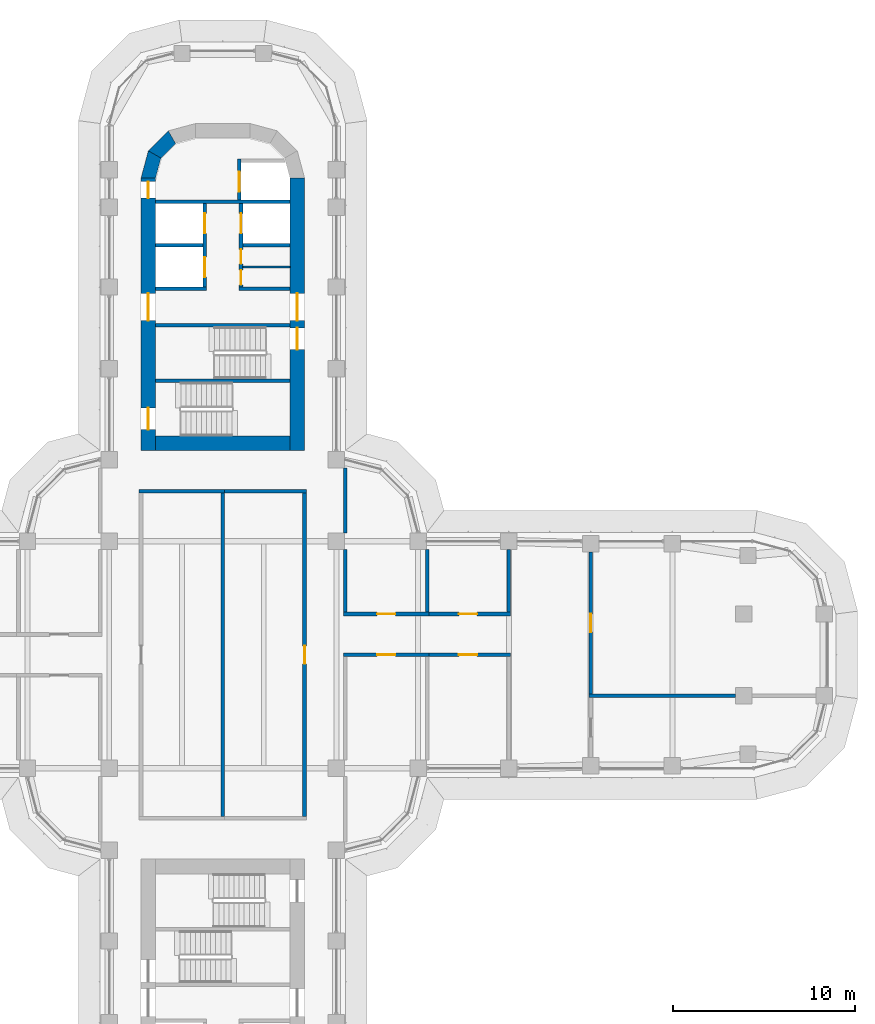
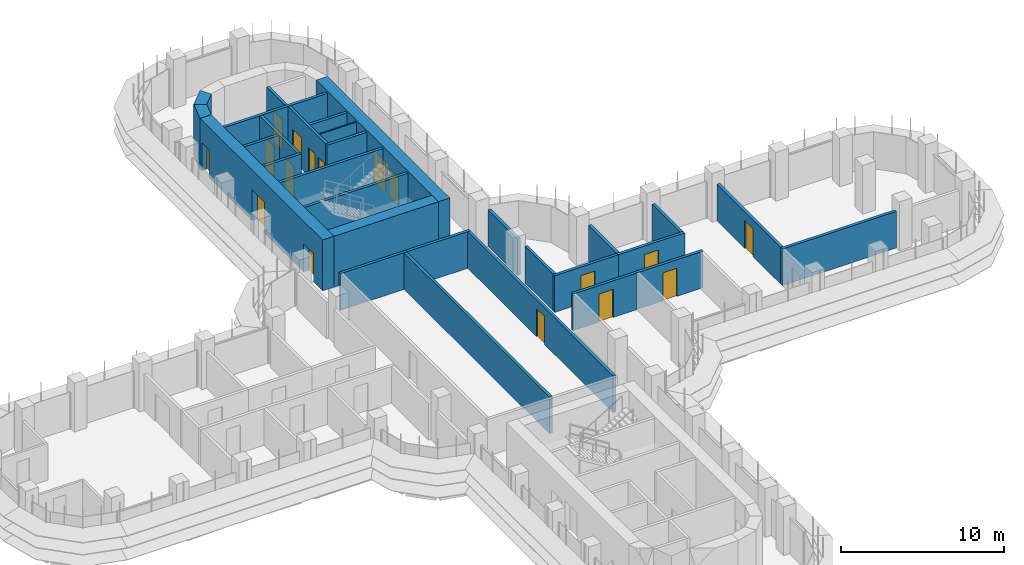
# One storey, part 18 of 23: 30 walls, 17 doors, 17 openings.
"""IFC4 building model written with IfcOpenShell, lengths in metres."""

from ifc_helpers import new_model, si_unit, direction, frame, frame_2d, origin, place, context, subcontext, project, spatial, polyline, rectangle, outline, extrude, material, layer, layer_set, type_object, element, fill, save


model = new_model("IFC4")

# Units and contexts
model_context = context("Model", 3, precision=1e-05, world=origin(), true_north=direction((0.0, 1.0)))
body_context = subcontext(model_context, "Body", "Model", "MODEL_VIEW")
ifc_project = project(units=[si_unit("LENGTHUNIT", "METRE"), si_unit("AREAUNIT", "SQUARE_METRE"), si_unit("VOLUMEUNIT", "CUBIC_METRE"), si_unit("PLANEANGLEUNIT", "RADIAN"), si_unit("MASSUNIT", "GRAM", prefix="KILO")], contexts=[model_context])

# Site, building, storey
site_placement = place(None, origin())
site = spatial("IfcSite", under=ifc_project, at=site_placement, CompositionType="ELEMENT")
building_placement = place(site_placement, origin())
building = spatial("IfcBuilding", under=site, at=building_placement, Name="Zarbagh Exchange Tower", CompositionType="ELEMENT")
storey_placement = place(building_placement, frame((0.0, 0.0, 90.39990234375)))
storey = spatial("IfcBuildingStorey", under=building, at=storey_placement, Name="L20", CompositionType="ELEMENT", Elevation=90.39990234375)

# Wall
ifc_material_1 = material(Name="Dense blockwork", Category="masonry")
ifc_layer_1 = layer(ifc_material_1, 0.10009765625)
ifc_layer_set_1 = layer_set([ifc_layer_1], Name="Core partition 100 mm blockwork")
wall_type_1 = type_object("IfcWallType", Name="Core partition 100 mm blockwork", PredefinedType="PARTITIONING", material=ifc_layer_set_1)
wall_1_placement = place(storey_placement, frame((1.10009765625, 21.35009765625, 0.0), z_axis=(0.0, 0.0, 1.0), x_axis=(1.0, 0.0, 0.0)))
element("IfcWall", 1, at=wall_1_placement, inside=storey, type_object=wall_type_1, Name="North core partition wall CUT-E-700", PredefinedType="PARTITIONING", context=body_context, shape_type="SweptSolid", body=[
    extrude(rectangle(XDim=2.599853515625, YDim=0.10009765625, at=frame_2d((1.2998046875, 0.0))), origin(), (0.0, 0.0, 1.0), 3.650146484375),
])

# Wall, opening, door
ifc_material_2 = material(Name="Fire-rated plasterboard partition")
ifc_layer_2 = layer(ifc_material_2, 0.199951171875)
ifc_layer_set_2 = layer_set([ifc_layer_2], Name="RATED PARTITION 200")
wall_type_2 = type_object("IfcWallType", Name="RATED PARTITION 200", PredefinedType="PARTITIONING", material=ifc_layer_set_2)
wall_2_placement = place(storey_placement, frame((4.5, -8.89990234375, 0.0), z_axis=(0.0, 0.0, 1.0), x_axis=(0.0, 1.0, 0.0)))
wall_2 = element("IfcWall", 2, at=wall_2_placement, inside=storey, type_object=wall_type_2, Name="Partition W-606", PredefinedType="PARTITIONING", context=body_context, shape_type="SweptSolid", body=[
    extrude(rectangle(XDim=17.7998046875, YDim=0.199951171875, at=frame_2d((8.89990234375, 0.0))), origin(), (0.0, 0.0, 1.0), 2.73828125),
])
opening_1_placement = place(wall_2_placement, frame((8.39990234375, 0.0, 0.0)))
opening_1 = element("IfcOpeningElement", 3, at=opening_1_placement, cuts=wall_2, Name="Opening D-601", PredefinedType="OPENING", context=body_context, shape_type="SweptSolid", body=[
    extrude(rectangle(XDim=1.0, YDim=2.10009765625, at=frame_2d((0.5, 1.050048828125))), frame((0.0, 0.10986328125, 0.0), z_axis=(0.0, -1.0, 0.0), x_axis=(1.0, 0.0, 0.0)), (0.0, 0.0, 1.0), 0.219970703125),
])
ifc_material_3 = material(Name="Steel door set", Category="steel")
door_type_1 = type_object("IfcDoorType", Name="FIRE DOOR 1000 X 2100 FD30S", OperationType="NOTDEFINED", PredefinedType="DOOR", material=ifc_material_3)
door_1_placement = place(opening_1_placement, origin())
door_1 = element("IfcDoor", 4, at=door_1_placement, inside=storey, type_object=door_type_1, Name="Door D-601", OperationType="SINGLE_SWING_RIGHT", OverallHeight=2.10009765625, OverallWidth=1.0, PredefinedType="DOOR", context=body_context, shape_type="SweptSolid", body=[
    extrude(rectangle(XDim=1.0, YDim=2.10009765625, at=frame_2d((0.5, 1.050048828125))), frame((0.0, 0.02490234375, 0.0), z_axis=(0.0, -1.0, 0.0), x_axis=(1.0, 0.0, 0.0)), (0.0, 0.0, 1.0), 0.050048828125),
])
fill(opening_1, door_1)

# Walls
wall_3_placement = place(storey_placement, frame((6.75, 2.35009765625, 0.0), z_axis=(0.0, 0.0, 1.0), x_axis=(0.0, 1.0, 0.0)))
element("IfcWall", 5, at=wall_3_placement, inside=storey, type_object=wall_type_2, Name="Partition W-607", PredefinedType="PARTITIONING", context=body_context, shape_type="SweptSolid", body=[
    extrude(rectangle(XDim=3.449951171875, YDim=0.199951171875, at=frame_2d((1.72509765625, 0.0))), origin(), (0.0, 0.0, 1.0), 2.73828125),
])
wall_4_placement = place(storey_placement, frame((6.75, 6.699951171875, 0.0), z_axis=(0.0, 0.0, 1.0), x_axis=(0.0, 1.0, 0.0)))
element("IfcWall", 6, at=wall_4_placement, inside=storey, type_object=wall_type_2, Name="Partition W-608", PredefinedType="PARTITIONING", context=body_context, shape_type="SweptSolid", body=[
    extrude(rectangle(XDim=3.60009765625, YDim=0.199951171875, at=frame_2d((1.800048828125, 0.0))), origin(), (0.0, 0.0, 1.0), 2.73828125),
])
for number, where, z_axis, x_axis, name in (
    (7, (-4.60009765625, 9.0, 0.0), (0.0, 0.0, 1.0), (1.0, 0.0, 0.0), "Partition W-611"),
    (8, (-0.10009765625, 9.0, 0.0), (0.0, 0.0, 1.0), (1.0, 0.0, 0.0), "Partition W-612"),
):
    element("IfcWall", number, at=place(storey_placement, frame(where, z_axis=z_axis, x_axis=x_axis)), inside=storey, type_object=wall_type_2, Name=name, PredefinedType="PARTITIONING", context=body_context, shape_type="SweptSolid", body=[
        extrude(rectangle(XDim=4.7001953125, YDim=0.199951171875, at=frame_2d((2.35009765625, 0.0))), origin(), (0.0, 0.0, 1.0), 2.73828125),
    ])
wall_5_placement = place(storey_placement, frame((0.0, -8.89990234375, 0.0), z_axis=(0.0, 0.0, 1.0), x_axis=(0.0, 1.0, 0.0)))
element("IfcWall", 9, at=wall_5_placement, inside=storey, type_object=wall_type_2, Name="Partition W-615", PredefinedType="PARTITIONING", context=body_context, shape_type="SweptSolid", body=[
    extrude(rectangle(XDim=17.7998046875, YDim=0.199951171875, at=frame_2d((8.89990234375, 0.0))), origin(), (0.0, 0.0, 1.0), 2.73828125),
])

# Wall, opening, door
wall_6_placement = place(storey_placement, frame((6.64990234375, 2.25, 0.0), z_axis=(0.0, 0.0, 1.0), x_axis=(1.0, 0.0, 0.0)))
wall_6 = element("IfcWall", 10, at=wall_6_placement, inside=storey, type_object=wall_type_2, Name="Partition W-616", PredefinedType="PARTITIONING", context=body_context, shape_type="SweptSolid", body=[
    extrude(rectangle(XDim=4.7001953125, YDim=0.199951171875, at=frame_2d((2.35009765625, 0.0))), origin(), (0.0, 0.0, 1.0), 2.73828125),
])
opening_2_placement = place(wall_6_placement, frame((1.85009765625, 0.0, 0.0)))
opening_2 = element("IfcOpeningElement", 11, at=opening_2_placement, cuts=wall_6, Name="Opening D-603", PredefinedType="OPENING", context=body_context, shape_type="SweptSolid", body=[
    extrude(rectangle(XDim=1.0, YDim=2.10009765625, at=frame_2d((0.5, 1.050048828125))), frame((0.0, 0.10986328125, 0.0), z_axis=(0.0, -1.0, 0.0), x_axis=(1.0, 0.0, 0.0)), (0.0, 0.0, 1.0), 0.219970703125),
])
door_2_placement = place(opening_2_placement, origin())
door_2 = element("IfcDoor", 12, at=door_2_placement, inside=storey, type_object=door_type_1, Name="Door D-603", OperationType="SINGLE_SWING_RIGHT", OverallHeight=2.10009765625, OverallWidth=1.0, PredefinedType="DOOR", context=body_context, shape_type="SweptSolid", body=[
    extrude(rectangle(XDim=1.0, YDim=2.10009765625, at=frame_2d((0.5, 1.050048828125))), frame((0.0, 0.02490234375, 0.0), z_axis=(0.0, -1.0, 0.0), x_axis=(1.0, 0.0, 0.0)), (0.0, 0.0, 1.0), 0.050048828125),
])
fill(opening_2, door_2)

wall_7_placement = place(storey_placement, frame((11.35009765625, 0.0, 0.0), z_axis=(0.0, 0.0, 1.0), x_axis=(-1.0, 0.0, 0.0)))
wall_7 = element("IfcWall", 13, at=wall_7_placement, inside=storey, type_object=wall_type_2, Name="Partition W-617", PredefinedType="PARTITIONING", context=body_context, shape_type="SweptSolid", body=[
    extrude(rectangle(XDim=4.7001953125, YDim=0.199951171875, at=frame_2d((2.35009765625, 0.0))), origin(), (0.0, 0.0, 1.0), 2.73828125),
])
opening_3_placement = place(wall_7_placement, frame((1.85009765625, 0.0, 0.0)))
opening_3 = element("IfcOpeningElement", 14, at=opening_3_placement, cuts=wall_7, Name="Opening D-605", PredefinedType="OPENING", context=body_context, shape_type="SweptSolid", body=[
    extrude(rectangle(XDim=1.0, YDim=2.10009765625, at=frame_2d((0.5, 1.050048828125))), frame((0.0, 0.10986328125, 0.0), z_axis=(0.0, -1.0, 0.0), x_axis=(1.0, 0.0, 0.0)), (0.0, 0.0, 1.0), 0.219970703125),
])
door_3_placement = place(opening_3_placement, origin())
door_3 = element("IfcDoor", 15, at=door_3_placement, inside=storey, type_object=door_type_1, Name="Door D-605", OperationType="SINGLE_SWING_RIGHT", OverallHeight=2.10009765625, OverallWidth=1.0, PredefinedType="DOOR", context=body_context, shape_type="SweptSolid", body=[
    extrude(rectangle(XDim=1.0, YDim=2.10009765625, at=frame_2d((0.5, 1.050048828125))), frame((0.0, 0.02490234375, 0.0), z_axis=(0.0, -1.0, 0.0), x_axis=(1.0, 0.0, 0.0)), (0.0, 0.0, 1.0), 0.050048828125),
])
fill(opening_3, door_3)

wall_8_placement = place(storey_placement, frame((11.14990234375, 2.25, 0.0), z_axis=(0.0, 0.0, 1.0), x_axis=(1.0, 0.0, 0.0)))
wall_8 = element("IfcWall", 16, at=wall_8_placement, inside=storey, type_object=wall_type_2, Name="Partition W-618", PredefinedType="PARTITIONING", context=body_context, shape_type="SweptSolid", body=[
    extrude(rectangle(XDim=4.7001953125, YDim=0.199951171875, at=frame_2d((2.35009765625, 0.0))), origin(), (0.0, 0.0, 1.0), 2.73828125),
])
opening_4_placement = place(wall_8_placement, frame((1.85009765625, 0.0, 0.0)))
opening_4 = element("IfcOpeningElement", 17, at=opening_4_placement, cuts=wall_8, Name="Opening D-604", PredefinedType="OPENING", context=body_context, shape_type="SweptSolid", body=[
    extrude(rectangle(XDim=1.0, YDim=2.10009765625, at=frame_2d((0.5, 1.050048828125))), frame((0.0, 0.10986328125, 0.0), z_axis=(0.0, -1.0, 0.0), x_axis=(1.0, 0.0, 0.0)), (0.0, 0.0, 1.0), 0.219970703125),
])
door_4_placement = place(opening_4_placement, origin())
door_4 = element("IfcDoor", 18, at=door_4_placement, inside=storey, type_object=door_type_1, Name="Door D-604", OperationType="SINGLE_SWING_RIGHT", OverallHeight=2.10009765625, OverallWidth=1.0, PredefinedType="DOOR", context=body_context, shape_type="SweptSolid", body=[
    extrude(rectangle(XDim=1.0, YDim=2.10009765625, at=frame_2d((0.5, 1.050048828125))), frame((0.0, 0.02490234375, 0.0), z_axis=(0.0, -1.0, 0.0), x_axis=(1.0, 0.0, 0.0)), (0.0, 0.0, 1.0), 0.050048828125),
])
fill(opening_4, door_4)

wall_9_placement = place(storey_placement, frame((15.85009765625, 0.0, 0.0), z_axis=(0.0, 0.0, 1.0), x_axis=(-1.0, 0.0, 0.0)))
wall_9 = element("IfcWall", 19, at=wall_9_placement, inside=storey, type_object=wall_type_2, Name="Partition W-619", PredefinedType="PARTITIONING", context=body_context, shape_type="SweptSolid", body=[
    extrude(rectangle(XDim=4.7001953125, YDim=0.199951171875, at=frame_2d((2.35009765625, 0.0))), origin(), (0.0, 0.0, 1.0), 2.73828125),
])
opening_5_placement = place(wall_9_placement, frame((1.85009765625, 0.0, 0.0)))
opening_5 = element("IfcOpeningElement", 20, at=opening_5_placement, cuts=wall_9, Name="Opening D-606", PredefinedType="OPENING", context=body_context, shape_type="SweptSolid", body=[
    extrude(rectangle(XDim=1.0, YDim=2.10009765625, at=frame_2d((0.5, 1.050048828125))), frame((0.0, 0.10986328125, 0.0), z_axis=(0.0, -1.0, 0.0), x_axis=(1.0, 0.0, 0.0)), (0.0, 0.0, 1.0), 0.219970703125),
])
door_5_placement = place(opening_5_placement, origin())
door_5 = element("IfcDoor", 21, at=door_5_placement, inside=storey, type_object=door_type_1, Name="Door D-606", OperationType="SINGLE_SWING_RIGHT", OverallHeight=2.10009765625, OverallWidth=1.0, PredefinedType="DOOR", context=body_context, shape_type="SweptSolid", body=[
    extrude(rectangle(XDim=1.0, YDim=2.10009765625, at=frame_2d((0.5, 1.050048828125))), frame((0.0, 0.02490234375, 0.0), z_axis=(0.0, -1.0, 0.0), x_axis=(1.0, 0.0, 0.0)), (0.0, 0.0, 1.0), 0.050048828125),
])
fill(opening_5, door_5)

# Walls
for number, where, z_axis, x_axis, name in (
    (22, (11.25, 2.35009765625, 0.0), (0.0, 0.0, 1.0), (0.0, 1.0, 0.0), "Partition W-620"),
    (23, (15.75, 2.35009765625, 0.0), (0.0, 0.0, 1.0), (0.0, 1.0, 0.0), "Partition W-622"),
):
    element("IfcWall", number, at=place(storey_placement, frame(where, z_axis=z_axis, x_axis=x_axis)), inside=storey, type_object=wall_type_2, Name=name, PredefinedType="PARTITIONING", context=body_context, shape_type="SweptSolid", body=[
        extrude(rectangle(XDim=3.449951171875, YDim=0.199951171875, at=frame_2d((1.72509765625, 0.0))), origin(), (0.0, 0.0, 1.0), 2.73828125),
    ])

# Wall, opening, door
wall_10_placement = place(storey_placement, frame((20.25, 5.659912109375, 0.0), z_axis=(0.0, 0.0, 1.0), x_axis=(0.0, -1.0, 0.0)))
wall_10 = element("IfcWall", 24, at=wall_10_placement, inside=storey, type_object=wall_type_2, Name="Partition W-625", PredefinedType="PARTITIONING", context=body_context, shape_type="SweptSolid", body=[
    extrude(rectangle(XDim=7.809814453125, YDim=0.199951171875, at=frame_2d((3.90478515625, 0.0))), origin(), (0.0, 0.0, 1.0), 2.73828125),
])
opening_6_placement = place(wall_10_placement, frame((3.405029296875, 0.0, 0.0)))
opening_6 = element("IfcOpeningElement", 25, at=opening_6_placement, cuts=wall_10, Name="Opening D-608", PredefinedType="OPENING", context=body_context, shape_type="SweptSolid", body=[
    extrude(rectangle(XDim=1.0, YDim=2.10009765625, at=frame_2d((0.5, 1.050048828125))), frame((0.0, 0.10986328125, 0.0), z_axis=(0.0, -1.0, 0.0), x_axis=(1.0, 0.0, 0.0)), (0.0, 0.0, 1.0), 0.219970703125),
])
door_6_placement = place(opening_6_placement, origin())
door_6 = element("IfcDoor", 26, at=door_6_placement, inside=storey, type_object=door_type_1, Name="Door D-608", OperationType="SINGLE_SWING_RIGHT", OverallHeight=2.10009765625, OverallWidth=1.0, PredefinedType="DOOR", context=body_context, shape_type="SweptSolid", body=[
    extrude(rectangle(XDim=1.0, YDim=2.10009765625, at=frame_2d((0.5, 1.050048828125))), frame((0.0, 0.02490234375, 0.0), z_axis=(0.0, -1.0, 0.0), x_axis=(1.0, 0.0, 0.0)), (0.0, 0.0, 1.0), 0.050048828125),
])
fill(opening_6, door_6)

# Walls
wall_11_placement = place(storey_placement, frame((20.14990234375, -2.25, 0.0), z_axis=(0.0, 0.0, 1.0), x_axis=(1.0, 0.0, 0.0)))
element("IfcWall", 27, at=wall_11_placement, inside=storey, type_object=wall_type_2, Name="Partition W-626", PredefinedType="PARTITIONING", context=body_context, shape_type="SweptSolid", body=[
    extrude(rectangle(XDim=8.070068359375, YDim=0.199951171875, at=frame_2d((4.03515625, 0.0))), origin(), (0.0, 0.0, 1.0), 2.73828125),
])
ifc_material_4 = material(Name="Concrete C60/75", Category="concrete")
ifc_layer_3 = layer(ifc_material_4, 0.800048828125)
ifc_layer_set_3 = layer_set([ifc_layer_3], Name="RC core corner wall 800 C60/75")
wall_type_3 = type_object("IfcWallType", Name="RC core corner wall 800 C60/75", PredefinedType="SHEAR", material=ifc_layer_set_3)
wall_12_placement = place(storey_placement, origin())
element("IfcWall", 28, at=wall_12_placement, inside=storey, type_object=wall_type_3, Name="CW4 core N corner W", PredefinedType="SHEAR", context=body_context, shape_type="SweptSolid", body=[
    extrude(outline(polyline([(-4.5, 26.25), (-4.09814453125, 27.75), (-3.4052734375, 27.35009765625), (-3.699951171875, 26.25), (-4.5, 26.25)])), origin(), (0.0, 0.0, 1.0), 3.800048828125),
])
wall_13_placement = place(storey_placement, origin())
element("IfcWall", 29, at=wall_13_placement, inside=storey, type_object=wall_type_3, Name="CW4 core N corner W", PredefinedType="SHEAR", context=body_context, shape_type="SweptSolid", body=[
    extrude(outline(polyline([(-4.09814453125, 27.75), (-3.0, 28.84814453125), (-2.60009765625, 28.1552734375), (-3.4052734375, 27.35009765625), (-4.09814453125, 27.75)])), origin(), (0.0, 0.0, 1.0), 3.800048828125),
])

# Wall, openings, doors
ifc_layer_4 = layer(ifc_material_4, 0.800048828125)
ifc_layer_set_4 = layer_set([ifc_layer_4], Name="RC core wall 800 C60/75")
wall_type_4 = type_object("IfcWallType", Name="RC core wall 800 C60/75", PredefinedType="SHEAR", material=ifc_layer_set_4)
wall_14_placement = place(storey_placement, frame((-4.10009765625, 11.25, 0.0), z_axis=(0.0, 0.0, 1.0), x_axis=(0.0, 1.0, 0.0)))
wall_14 = element("IfcWall", 30, at=wall_14_placement, inside=storey, type_object=wall_type_4, Name="CW3 core N W", PredefinedType="SHEAR", context=body_context, shape_type="SweptSolid", body=[
    extrude(rectangle(XDim=15.0, YDim=0.800048828125, at=frame_2d((7.5, 0.0))), origin(), (0.0, 0.0, 1.0), 3.800048828125),
])
opening_7_placement = place(wall_14_placement, frame((7.14990234375, 0.0, 0.0)))
opening_7 = element("IfcOpeningElement", 31, at=opening_7_placement, cuts=wall_14, Name="Opening CD1-1500", PredefinedType="OPENING", context=body_context, shape_type="SweptSolid", body=[
    extrude(rectangle(XDim=1.5, YDim=2.300048828125, at=frame_2d((0.75, 1.14990234375))), frame((0.0, 0.409912109375, 0.0), z_axis=(0.0, -1.0, 0.0), x_axis=(1.0, 0.0, 0.0)), (0.0, 0.0, 1.0), 0.820068359375),
])
opening_8_placement = place(wall_14_placement, frame((13.89990234375, 0.0, 0.0)))
opening_8 = element("IfcOpeningElement", 32, at=opening_8_placement, cuts=wall_14, Name="Opening CD2-900", PredefinedType="OPENING", context=body_context, shape_type="SweptSolid", body=[
    extrude(rectangle(XDim=0.89990234375, YDim=2.10009765625, at=frame_2d((0.449951171875, 1.050048828125))), frame((0.0, 0.409912109375, 0.0), z_axis=(0.0, -1.0, 0.0), x_axis=(1.0, 0.0, 0.0)), (0.0, 0.0, 1.0), 0.820068359375),
])
opening_9_placement = place(wall_14_placement, frame((1.14990234375, 0.0, 0.0)))
opening_9 = element("IfcOpeningElement", 33, at=opening_9_placement, cuts=wall_14, Name="Opening SD1-1200", PredefinedType="OPENING", context=body_context, shape_type="SweptSolid", body=[
    extrude(rectangle(XDim=1.199951171875, YDim=2.10009765625, at=frame_2d((0.60009765625, 1.050048828125))), frame((0.0, 0.409912109375, 0.0), z_axis=(0.0, -1.0, 0.0), x_axis=(1.0, 0.0, 0.0)), (0.0, 0.0, 1.0), 0.820068359375),
])
ifc_material_5 = material(Name="Steel", Category="steel")
door_type_2 = type_object("IfcDoorType", Name="Exit stair door 1200 x 2100", OperationType="NOTDEFINED", PredefinedType="DOOR", material=ifc_material_5)
door_7_placement = place(opening_9_placement, origin())
door_7 = element("IfcDoor", 34, at=door_7_placement, inside=storey, type_object=door_type_2, Name="North core stair door ST2", OperationType="SINGLE_SWING_RIGHT", OverallHeight=2.10009765625, OverallWidth=1.199951171875, PredefinedType="DOOR", context=body_context, shape_type="SweptSolid", body=[
    extrude(rectangle(XDim=1.199951171875, YDim=2.10009765625, at=frame_2d((0.60009765625, 1.050048828125))), frame((0.0, 0.02490234375, 0.0), z_axis=(0.0, -1.0, 0.0), x_axis=(1.0, 0.0, 0.0)), (0.0, 0.0, 1.0), 0.050048828125),
])
fill(opening_9, door_7)
door_type_3 = type_object("IfcDoorType", Name="Firefighting lobby door 900 x 2100", OperationType="NOTDEFINED", PredefinedType="DOOR", material=ifc_material_5)
door_8_placement = place(opening_8_placement, origin())
door_8 = element("IfcDoor", 35, at=door_8_placement, inside=storey, type_object=door_type_3, Name="North core firefighting lobby door FF-W", OperationType="SINGLE_SWING_LEFT", OverallHeight=2.10009765625, OverallWidth=0.89990234375, PredefinedType="DOOR", context=body_context, shape_type="SweptSolid", body=[
    extrude(rectangle(XDim=0.89990234375, YDim=2.10009765625, at=frame_2d((0.449951171875, 1.050048828125))), frame((0.0, 0.02490234375, 0.0), z_axis=(0.0, -1.0, 0.0), x_axis=(1.0, 0.0, 0.0)), (0.0, 0.0, 1.0), 0.050048828125),
])
fill(opening_8, door_8)
door_type_4 = type_object("IfcDoorType", Name="Lift lobby double door 1500 x 2300", OperationType="NOTDEFINED", PredefinedType="DOOR", material=ifc_material_5)
door_9_placement = place(opening_7_placement, origin())
door_9 = element("IfcDoor", 36, at=door_9_placement, inside=storey, type_object=door_type_4, Name="North core lift lobby door LOBBY-W", OperationType="DOUBLE_DOOR_SINGLE_SWING", OverallHeight=2.300048828125, OverallWidth=1.5, PredefinedType="DOOR", context=body_context, shape_type="SweptSolid", body=[
    extrude(rectangle(XDim=1.5, YDim=2.300048828125, at=frame_2d((0.75, 1.14990234375))), frame((0.0, 0.02490234375, 0.0), z_axis=(0.0, -1.0, 0.0), x_axis=(1.0, 0.0, 0.0)), (0.0, 0.0, 1.0), 0.050048828125),
])
fill(opening_7, door_9)

wall_15_placement = place(storey_placement, frame((4.10009765625, 11.25, 0.0), z_axis=(0.0, 0.0, 1.0), x_axis=(0.0, 1.0, 0.0)))
wall_15 = element("IfcWall", 37, at=wall_15_placement, inside=storey, type_object=wall_type_4, Name="CW3 core N E", PredefinedType="SHEAR", context=body_context, shape_type="SweptSolid", body=[
    extrude(rectangle(XDim=15.0, YDim=0.800048828125, at=frame_2d((7.5, 0.0))), origin(), (0.0, 0.0, 1.0), 3.800048828125),
])
opening_10_placement = place(wall_15_placement, frame((7.14990234375, 0.0, 0.0)))
opening_10 = element("IfcOpeningElement", 38, at=opening_10_placement, cuts=wall_15, Name="Opening CD1-1500", PredefinedType="OPENING", context=body_context, shape_type="SweptSolid", body=[
    extrude(rectangle(XDim=1.5, YDim=2.300048828125, at=frame_2d((0.75, 1.14990234375))), frame((0.0, 0.409912109375, 0.0), z_axis=(0.0, -1.0, 0.0), x_axis=(1.0, 0.0, 0.0)), (0.0, 0.0, 1.0), 0.820068359375),
])
opening_11_placement = place(wall_15_placement, frame((5.550048828125, 0.0, 0.0)))
opening_11 = element("IfcOpeningElement", 39, at=opening_11_placement, cuts=wall_15, Name="Opening SD1-1200", PredefinedType="OPENING", context=body_context, shape_type="SweptSolid", body=[
    extrude(rectangle(XDim=1.199951171875, YDim=2.10009765625, at=frame_2d((0.60009765625, 1.050048828125))), frame((0.0, 0.409912109375, 0.0), z_axis=(0.0, -1.0, 0.0), x_axis=(1.0, 0.0, 0.0)), (0.0, 0.0, 1.0), 0.820068359375),
])
door_10_placement = place(opening_11_placement, origin())
door_10 = element("IfcDoor", 40, at=door_10_placement, inside=storey, type_object=door_type_2, Name="North core stair door ST1", OperationType="SINGLE_SWING_LEFT", OverallHeight=2.10009765625, OverallWidth=1.199951171875, PredefinedType="DOOR", context=body_context, shape_type="SweptSolid", body=[
    extrude(rectangle(XDim=1.199951171875, YDim=2.10009765625, at=frame_2d((0.60009765625, 1.050048828125))), frame((0.0, 0.02490234375, 0.0), z_axis=(0.0, -1.0, 0.0), x_axis=(1.0, 0.0, 0.0)), (0.0, 0.0, 1.0), 0.050048828125),
])
fill(opening_11, door_10)
door_11_placement = place(opening_10_placement, origin())
door_11 = element("IfcDoor", 41, at=door_11_placement, inside=storey, type_object=door_type_4, Name="North core lift lobby door LOBBY-E", OperationType="DOUBLE_DOOR_SINGLE_SWING", OverallHeight=2.300048828125, OverallWidth=1.5, PredefinedType="DOOR", context=body_context, shape_type="SweptSolid", body=[
    extrude(rectangle(XDim=1.5, YDim=2.300048828125, at=frame_2d((0.75, 1.14990234375))), frame((0.0, 0.02490234375, 0.0), z_axis=(0.0, -1.0, 0.0), x_axis=(1.0, 0.0, 0.0)), (0.0, 0.0, 1.0), 0.050048828125),
])
fill(opening_10, door_11)

# Walls
wall_16_placement = place(storey_placement, frame((-3.699951171875, 11.64990234375, 0.0), z_axis=(0.0, 0.0, 1.0), x_axis=(1.0, 0.0, 0.0)))
element("IfcWall", 42, at=wall_16_placement, inside=storey, type_object=wall_type_4, Name="CW3 core N inner end", PredefinedType="SHEAR", context=body_context, shape_type="SweptSolid", body=[
    extrude(rectangle(XDim=7.39990234375, YDim=0.800048828125, at=frame_2d((3.699951171875, 0.0))), origin(), (0.0, 0.0, 1.0), 3.800048828125),
])
ifc_layer_5 = layer(ifc_material_1, 0.199951171875)
ifc_layer_set_5 = layer_set([ifc_layer_5], Name="Shaft wall 200 mm blockwork")
wall_type_5 = type_object("IfcWallType", Name="Shaft wall 200 mm blockwork", PredefinedType="PARTITIONING", material=ifc_layer_set_5)
wall_17_placement = place(storey_placement, frame((-3.699951171875, 20.14990234375, 0.0), z_axis=(0.0, 0.0, 1.0), x_axis=(1.0, 0.0, 0.0)))
element("IfcWall", 43, at=wall_17_placement, inside=storey, type_object=wall_type_5, Name="North core shaft wall AB-W", PredefinedType="PARTITIONING", context=body_context, shape_type="SweptSolid", body=[
    extrude(rectangle(XDim=2.800048828125, YDim=0.199951171875, at=frame_2d((1.39990234375, 0.0))), origin(), (0.0, 0.0, 1.0), 3.650146484375),
])

# Wall, openings, doors
wall_18_placement = place(storey_placement, frame((-1.0, 24.85009765625, 0.0), z_axis=(0.0, 0.0, 1.0), x_axis=(0.0, -1.0, 0.0)))
wall_18 = element("IfcWall", 44, at=wall_18_placement, inside=storey, type_object=wall_type_5, Name="North core shaft wall LW-W", PredefinedType="PARTITIONING", context=body_context, shape_type="SweptSolid", body=[
    extrude(rectangle(XDim=4.60009765625, YDim=0.199951171875, at=frame_2d((2.300048828125, 0.0))), origin(), (0.0, 0.0, 1.0), 3.650146484375),
])
opening_12_placement = place(wall_18_placement, frame((0.550048828125, 0.0, 0.0)))
opening_12 = element("IfcOpeningElement", 45, at=opening_12_placement, cuts=wall_18, Name="Opening LD-1100", PredefinedType="OPENING", context=body_context, shape_type="SweptSolid", body=[
    extrude(rectangle(XDim=1.10009765625, YDim=2.300048828125, at=frame_2d((0.550048828125, 1.14990234375))), frame((0.0, 0.10986328125, 0.0), z_axis=(0.0, -1.0, 0.0), x_axis=(1.0, 0.0, 0.0)), (0.0, 0.0, 1.0), 0.219970703125),
])
opening_13_placement = place(wall_18_placement, frame((2.949951171875, 0.0, 0.0)))
opening_13 = element("IfcOpeningElement", 46, at=opening_13_placement, cuts=wall_18, Name="Opening LD-1100", PredefinedType="OPENING", context=body_context, shape_type="SweptSolid", body=[
    extrude(rectangle(XDim=1.10009765625, YDim=2.300048828125, at=frame_2d((0.550048828125, 1.14990234375))), frame((0.0, 0.10986328125, 0.0), z_axis=(0.0, -1.0, 0.0), x_axis=(1.0, 0.0, 0.0)), (0.0, 0.0, 1.0), 0.219970703125),
])
ifc_material_6 = material(Name="Stainless steel", Category="steel")
door_type_5 = type_object("IfcDoorType", Name="Lift landing door 1100 x 2300", OperationType="NOTDEFINED", PredefinedType="DOOR", material=ifc_material_6)
door_12_placement = place(opening_12_placement, origin())
door_12 = element("IfcDoor", 47, at=door_12_placement, inside=storey, type_object=door_type_5, Name="North core lift landing door LD-P-N1", OperationType="DOUBLE_DOOR_SLIDING", OverallHeight=2.300048828125, OverallWidth=1.10009765625, PredefinedType="DOOR", context=body_context, shape_type="SweptSolid", body=[
    extrude(rectangle(XDim=1.10009765625, YDim=2.300048828125, at=frame_2d((0.550048828125, 1.14990234375))), frame((0.0, 0.02490234375, 0.0), z_axis=(0.0, -1.0, 0.0), x_axis=(1.0, 0.0, 0.0)), (0.0, 0.0, 1.0), 0.050048828125),
])
fill(opening_12, door_12)
door_13_placement = place(opening_13_placement, origin())
door_13 = element("IfcDoor", 48, at=door_13_placement, inside=storey, type_object=door_type_5, Name="North core lift landing door LD-P-N2", OperationType="DOUBLE_DOOR_SLIDING", OverallHeight=2.300048828125, OverallWidth=1.10009765625, PredefinedType="DOOR", context=body_context, shape_type="SweptSolid", body=[
    extrude(rectangle(XDim=1.10009765625, YDim=2.300048828125, at=frame_2d((0.550048828125, 1.14990234375))), frame((0.0, 0.02490234375, 0.0), z_axis=(0.0, -1.0, 0.0), x_axis=(1.0, 0.0, 0.0)), (0.0, 0.0, 1.0), 0.050048828125),
])
fill(opening_13, door_13)

# Wall
wall_19_placement = place(storey_placement, frame((0.89990234375, 20.14990234375, 0.0), z_axis=(0.0, 0.0, 1.0), x_axis=(1.0, 0.0, 0.0)))
element("IfcWall", 49, at=wall_19_placement, inside=storey, type_object=wall_type_5, Name="North core shaft wall AB-E", PredefinedType="PARTITIONING", context=body_context, shape_type="SweptSolid", body=[
    extrude(rectangle(XDim=2.800048828125, YDim=0.199951171875, at=frame_2d((1.39990234375, 0.0))), origin(), (0.0, 0.0, 1.0), 3.650146484375),
])

# Wall, openings, doors
wall_20_placement = place(storey_placement, frame((1.0, 24.85009765625, 0.0), z_axis=(0.0, 0.0, 1.0), x_axis=(0.0, -1.0, 0.0)))
wall_20 = element("IfcWall", 50, at=wall_20_placement, inside=storey, type_object=wall_type_5, Name="North core shaft wall LW-E", PredefinedType="PARTITIONING", context=body_context, shape_type="SweptSolid", body=[
    extrude(rectangle(XDim=4.60009765625, YDim=0.199951171875, at=frame_2d((2.300048828125, 0.0))), origin(), (0.0, 0.0, 1.0), 3.650146484375),
])
opening_14_placement = place(wall_20_placement, frame((0.550048828125, 0.0, 0.0)))
opening_14 = element("IfcOpeningElement", 51, at=opening_14_placement, cuts=wall_20, Name="Opening LD-1100", PredefinedType="OPENING", context=body_context, shape_type="SweptSolid", body=[
    extrude(rectangle(XDim=1.10009765625, YDim=2.300048828125, at=frame_2d((0.550048828125, 1.14990234375))), frame((0.0, 0.10986328125, 0.0), z_axis=(0.0, -1.0, 0.0), x_axis=(1.0, 0.0, 0.0)), (0.0, 0.0, 1.0), 0.219970703125),
])
opening_15_placement = place(wall_20_placement, frame((2.52490234375, 0.0, 0.0)))
opening_15 = element("IfcOpeningElement", 52, at=opening_15_placement, cuts=wall_20, Name="Opening CD3-800", PredefinedType="OPENING", context=body_context, shape_type="SweptSolid", body=[
    extrude(rectangle(XDim=0.800048828125, YDim=2.10009765625, at=frame_2d((0.39990234375, 1.050048828125))), frame((0.0, 0.10986328125, 0.0), z_axis=(0.0, -1.0, 0.0), x_axis=(1.0, 0.0, 0.0)), (0.0, 0.0, 1.0), 0.219970703125),
])
opening_16_placement = place(wall_20_placement, frame((3.675048828125, 0.0, 0.0)))
opening_16 = element("IfcOpeningElement", 53, at=opening_16_placement, cuts=wall_20, Name="Opening CD3-800", PredefinedType="OPENING", context=body_context, shape_type="SweptSolid", body=[
    extrude(rectangle(XDim=0.800048828125, YDim=2.10009765625, at=frame_2d((0.39990234375, 1.050048828125))), frame((0.0, 0.10986328125, 0.0), z_axis=(0.0, -1.0, 0.0), x_axis=(1.0, 0.0, 0.0)), (0.0, 0.0, 1.0), 0.219970703125),
])
door_type_6 = type_object("IfcDoorType", Name="Core room door 800 x 2100", OperationType="NOTDEFINED", PredefinedType="DOOR", material=ifc_material_5)
door_14_placement = place(opening_15_placement, origin())
door_14 = element("IfcDoor", 54, at=door_14_placement, inside=storey, type_object=door_type_6, Name="North core Store door RD-E-0", OperationType="SINGLE_SWING_LEFT", OverallHeight=2.10009765625, OverallWidth=0.800048828125, PredefinedType="DOOR", context=body_context, shape_type="SweptSolid", body=[
    extrude(rectangle(XDim=0.800048828125, YDim=2.10009765625, at=frame_2d((0.39990234375, 1.050048828125))), frame((0.0, 0.02490234375, 0.0), z_axis=(0.0, -1.0, 0.0), x_axis=(1.0, 0.0, 0.0)), (0.0, 0.0, 1.0), 0.050048828125),
])
fill(opening_15, door_14)
door_15_placement = place(opening_16_placement, origin())
door_15 = element("IfcDoor", 55, at=door_15_placement, inside=storey, type_object=door_type_6, Name="North core IT room door RD-E-1", OperationType="SINGLE_SWING_RIGHT", OverallHeight=2.10009765625, OverallWidth=0.800048828125, PredefinedType="DOOR", context=body_context, shape_type="SweptSolid", body=[
    extrude(rectangle(XDim=0.800048828125, YDim=2.10009765625, at=frame_2d((0.39990234375, 1.050048828125))), frame((0.0, 0.02490234375, 0.0), z_axis=(0.0, -1.0, 0.0), x_axis=(1.0, 0.0, 0.0)), (0.0, 0.0, 1.0), 0.050048828125),
])
fill(opening_16, door_15)
door_16_placement = place(opening_14_placement, origin())
door_16 = element("IfcDoor", 56, at=door_16_placement, inside=storey, type_object=door_type_5, Name="North core lift landing door LD-P-N3", OperationType="DOUBLE_DOOR_SLIDING", OverallHeight=2.300048828125, OverallWidth=1.10009765625, PredefinedType="DOOR", context=body_context, shape_type="SweptSolid", body=[
    extrude(rectangle(XDim=1.10009765625, YDim=2.300048828125, at=frame_2d((0.550048828125, 1.14990234375))), frame((0.0, 0.02490234375, 0.0), z_axis=(0.0, -1.0, 0.0), x_axis=(1.0, 0.0, 0.0)), (0.0, 0.0, 1.0), 0.050048828125),
])
fill(opening_14, door_16)

# Walls
for number, where, z_axis, x_axis, name in (
    (57, (-3.699951171875, 22.550048828125, 0.0), (0.0, 0.0, 1.0), (1.0, 0.0, 0.0), "North core shaft wall TR-W"),
    (58, (1.10009765625, 22.550048828125, 0.0), (0.0, 0.0, 1.0), (1.0, 0.0, 0.0), "North core shaft wall TR-E"),
):
    element("IfcWall", number, at=place(storey_placement, frame(where, z_axis=z_axis, x_axis=x_axis)), inside=storey, type_object=wall_type_5, Name=name, PredefinedType="PARTITIONING", context=body_context, shape_type="SweptSolid", body=[
        extrude(rectangle(XDim=2.599853515625, YDim=0.199951171875, at=frame_2d((1.2998046875, 0.0))), origin(), (0.0, 0.0, 1.0), 3.650146484375),
    ])
ifc_material_7 = material(Name="Concrete C40/50", Category="concrete")
ifc_layer_6 = layer(ifc_material_7, 0.199951171875)
ifc_layer_set_6 = layer_set([ifc_layer_6], Name="Stair enclosure wall 200 mm RC C40/50")
wall_type_6 = type_object("IfcWallType", Name="Stair enclosure wall 200 mm RC C40/50", PredefinedType="SHEAR", material=ifc_layer_set_6)
wall_21_placement = place(storey_placement, frame((-3.699951171875, 24.949951171875, 0.0), z_axis=(0.0, 0.0, 1.0), x_axis=(1.0, 0.0, 0.0)))
element("IfcWall", 59, at=wall_21_placement, inside=storey, type_object=wall_type_6, Name="North core lift shaft wall FFA", PredefinedType="SHEAR", context=body_context, shape_type="SweptSolid", body=[
    extrude(rectangle(XDim=7.39990234375, YDim=0.199951171875, at=frame_2d((3.699951171875, 0.0))), origin(), (0.0, 0.0, 1.0), 3.650146484375),
])

# Wall, opening, door
wall_22_placement = place(storey_placement, frame((0.89990234375, 27.300048828125, 0.0), z_axis=(0.0, 0.0, 1.0), x_axis=(0.0, -1.0, 0.0)))
wall_22 = element("IfcWall", 60, at=wall_22_placement, inside=storey, type_object=wall_type_6, Name="North core lift shaft wall FFL", PredefinedType="SHEAR", context=body_context, shape_type="SweptSolid", body=[
    extrude(rectangle(XDim=2.25, YDim=0.199951171875, at=frame_2d((1.125, 0.0))), origin(), (0.0, 0.0, 1.0), 3.650146484375),
])
opening_17_placement = place(wall_22_placement, frame((0.699951171875, 0.0, 0.0)))
opening_17 = element("IfcOpeningElement", 61, at=opening_17_placement, cuts=wall_22, Name="Opening LD-1100", PredefinedType="OPENING", context=body_context, shape_type="SweptSolid", body=[
    extrude(rectangle(XDim=1.10009765625, YDim=2.300048828125, at=frame_2d((0.550048828125, 1.14990234375))), frame((0.0, 0.10986328125, 0.0), z_axis=(0.0, -1.0, 0.0), x_axis=(1.0, 0.0, 0.0)), (0.0, 0.0, 1.0), 0.219970703125),
])
door_17_placement = place(opening_17_placement, origin())
door_17 = element("IfcDoor", 62, at=door_17_placement, inside=storey, type_object=door_type_5, Name="North core lift landing door LD-F", OperationType="DOUBLE_DOOR_SLIDING", OverallHeight=2.300048828125, OverallWidth=1.10009765625, PredefinedType="DOOR", context=body_context, shape_type="SweptSolid", body=[
    extrude(rectangle(XDim=1.10009765625, YDim=2.300048828125, at=frame_2d((0.550048828125, 1.14990234375))), frame((0.0, 0.02490234375, 0.0), z_axis=(0.0, -1.0, 0.0), x_axis=(1.0, 0.0, 0.0)), (0.0, 0.0, 1.0), 0.050048828125),
])
fill(opening_17, door_17)

# Walls
for number, where, z_axis, x_axis, name in (
    (63, (-3.699951171875, 18.14990234375, 0.0), (0.0, 0.0, 1.0), (1.0, 0.0, 0.0), "North core stair wall BS"),
    (64, (-3.699951171875, 15.10009765625, 0.0), (0.0, 0.0, 1.0), (1.0, 0.0, 0.0), "North core stair wall ST12"),
):
    element("IfcWall", number, at=place(storey_placement, frame(where, z_axis=z_axis, x_axis=x_axis)), inside=storey, type_object=wall_type_6, Name=name, PredefinedType="SHEAR", context=body_context, shape_type="SweptSolid", body=[
        extrude(rectangle(XDim=7.39990234375, YDim=0.199951171875, at=frame_2d((3.699951171875, 0.0))), origin(), (0.0, 0.0, 1.0), 3.650146484375),
    ])

save(model, "model.ifc")
